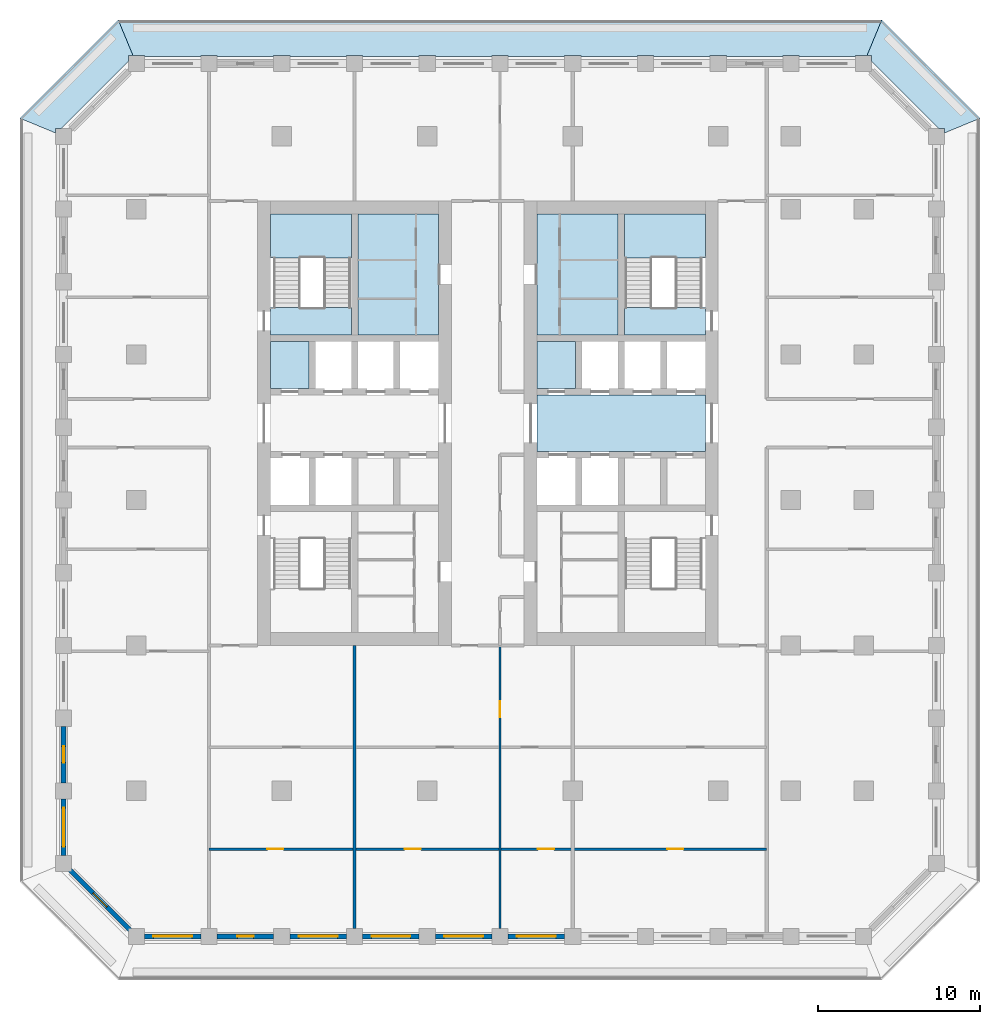
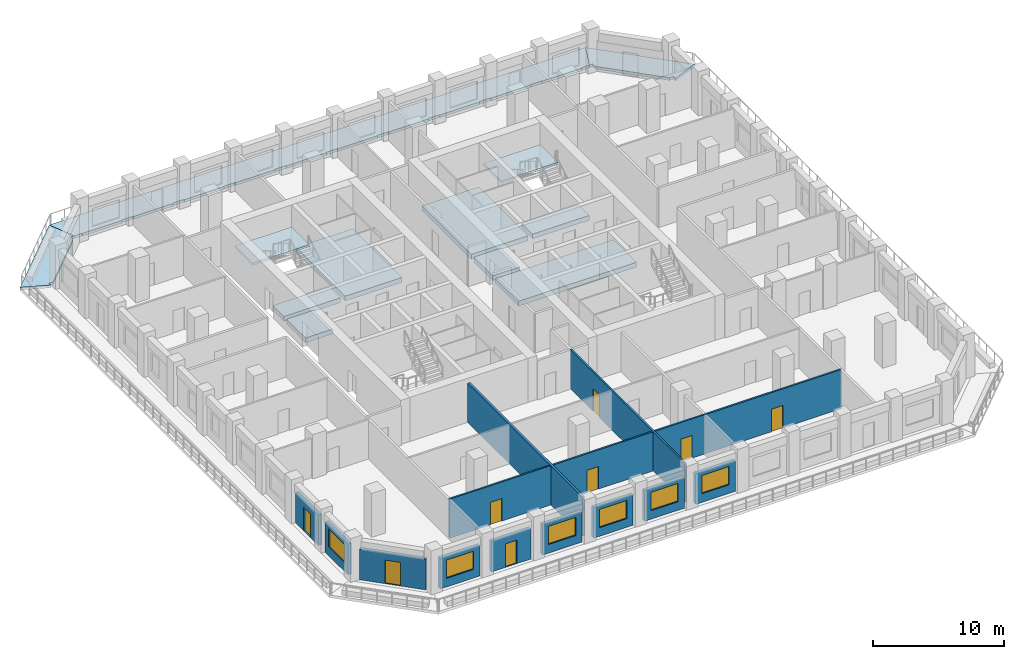
# One storey, part 2 of 16: 12 slabs, 12 walls, 8 doors, 6 windows, 14 openings, 2 elements without a shape of their own.
"""IFC4 building model written with IfcOpenShell, lengths in metres."""

from ifc_helpers import new_model, si_unit, direction, frame, frame_2d, origin, place, context, subcontext, project, spatial, polyline, rectangle, outline, extrude, material, layer, layer_set, type_object, element, fill, aggregate, save


model = new_model("IFC4")

# Units and contexts
model_context = context("Model", 3, precision=1e-05, world=origin(), true_north=direction((0.0, 1.0)))
body_context = subcontext(model_context, "Body", "Model", "MODEL_VIEW")
ifc_project = project(units=[si_unit("LENGTHUNIT", "METRE"), si_unit("AREAUNIT", "SQUARE_METRE"), si_unit("VOLUMEUNIT", "CUBIC_METRE"), si_unit("PLANEANGLEUNIT", "RADIAN"), si_unit("MASSUNIT", "GRAM", prefix="KILO")], contexts=[model_context])

# Site, building, storey
site_placement = place(None, origin())
site = spatial("IfcSite", under=ifc_project, at=site_placement, CompositionType="ELEMENT")
building_placement = place(site_placement, origin())
building = spatial("IfcBuilding", under=site, at=building_placement, Name="Corbel Stack Research Tower", CompositionType="ELEMENT")
storey_placement = place(building_placement, frame((0.0, 0.0, 212.0)))
storey = spatial("IfcBuildingStorey", under=building, at=storey_placement, Name="L48", CompositionType="ELEMENT", Elevation=212.0)

# Slabs
ifc_material_1 = material(Name="Concrete C45/55", Category="concrete")
ifc_layer_1 = layer(ifc_material_1, 0.25)
ifc_layer_set_1 = layer_set([ifc_layer_1], Name="Concrete C45/55")
slab_type_1 = type_object("IfcSlabType", Name="PT balcony slab 250 C45/55", PredefinedType="FLOOR", material=ifc_layer_set_1)
slab_1_placement = place(storey_placement, frame((0.0, 0.0, -0.25)))
element("IfcSlab", 1, at=slab_1_placement, inside=storey, type_object=slab_type_1, Name="Loggia slab L48 NE", PredefinedType="FLOOR", context=body_context, shape_type="SweptSolid", body=[
    extrude(outline(polyline([(27.20703125, 27.5), (27.5, 27.5), (27.5, 27.136474609375), (31.636474609375, 23.0), (32.0, 23.0), (32.0, 22.70703125), (34.199951171875, 23.618408203125), (28.118408203125, 29.699951171875), (27.20703125, 27.5)])), origin(), (0.0, 0.0, 1.0), 0.25),
])
slab_2_placement = place(storey_placement, frame((0.0, 0.0, -0.25)))
element("IfcSlab", 2, at=slab_2_placement, inside=storey, type_object=slab_type_1, Name="Loggia slab L48 N", PredefinedType="FLOOR", context=body_context, shape_type="SweptSolid", body=[
    extrude(outline(polyline([(-18.20703125, 27.5), (-17.5, 27.5), (-17.5, 27.449951171875), (-14.0, 27.449951171875), (-14.0, 27.5), (-13.0, 27.5), (-13.0, 27.449951171875), (-9.5, 27.449951171875), (-9.5, 27.5), (-8.5, 27.5), (-8.5, 27.449951171875), (-5.0, 27.449951171875), (-5.0, 27.5), (-4.0, 27.5), (-4.0, 27.449951171875), (-0.5, 27.449951171875), (-0.5, 27.5), (0.5, 27.5), (0.5, 27.449951171875), (4.0, 27.449951171875), (4.0, 27.5), (5.0, 27.5), (5.0, 27.449951171875), (8.5, 27.449951171875), (8.5, 27.5), (9.5, 27.5), (9.5, 27.449951171875), (13.0, 27.449951171875), (13.0, 27.5), (14.0, 27.5), (14.0, 27.449951171875), (17.5, 27.449951171875), (17.5, 27.5), (18.5, 27.5), (18.5, 27.449951171875), (22.0, 27.449951171875), (22.0, 27.5), (23.0, 27.5), (23.0, 27.449951171875), (26.5, 27.449951171875), (26.5, 27.5), (27.20703125, 27.5), (28.118408203125, 29.699951171875), (-19.118408203125, 29.699951171875), (-18.20703125, 27.5)])), origin(), (0.0, 0.0, 1.0), 0.25),
])
slab_3_placement = place(storey_placement, frame((0.0, 0.0, -0.25)))
element("IfcSlab", 3, at=slab_3_placement, inside=storey, type_object=slab_type_1, Name="Loggia slab L48 NW", PredefinedType="FLOOR", context=body_context, shape_type="SweptSolid", body=[
    extrude(outline(polyline([(-23.0, 22.70703125), (-23.0, 23.0), (-22.636474609375, 23.0), (-18.5, 27.136474609375), (-18.5, 27.5), (-18.20703125, 27.5), (-19.118408203125, 29.699951171875), (-25.199951171875, 23.618408203125), (-23.0, 22.70703125)])), origin(), (0.0, 0.0, 1.0), 0.25),
])
ifc_material_2 = material(Name="Concrete C45/55", Category="concrete")
ifc_layer_2 = layer(ifc_material_2, 0.449951171875)
ifc_layer_set_2 = layer_set([ifc_layer_2], Name="Concrete C45/55")
slab_type_2 = type_object("IfcSlabType", Name="PT-450", PredefinedType="FLOOR", material=ifc_layer_set_2)
slab_4_placement = place(storey_placement, frame((0.0, 0.0, -0.449951171875)))
element("IfcSlab", 4, at=slab_4_placement, inside=storey, type_object=slab_type_2, Name="West core floor L48", PredefinedType="FLOOR", context=body_context, shape_type="SweptSolid", body=[
    extrude(outline(polyline([(-9.699951171875, 6.89990234375), (-7.324951171875, 6.89990234375), (-7.324951171875, 9.800048828125), (-9.699951171875, 9.800048828125), (-9.699951171875, 6.89990234375)])), origin(), (0.0, 0.0, 1.0), 0.449951171875),
])
slab_5_placement = place(storey_placement, frame((0.0, 0.0, -0.449951171875)))
element("IfcSlab", 5, at=slab_5_placement, inside=storey, type_object=slab_type_2, Name="West core floor L48", PredefinedType="FLOOR", context=body_context, shape_type="SweptSolid", body=[
    extrude(outline(polyline([(0.699951171875, 17.699951171875), (-4.300048828125, 17.699951171875), (-4.300048828125, 10.199951171875), (0.699951171875, 10.199951171875), (0.699951171875, 17.699951171875)])), origin(), (0.0, 0.0, 1.0), 0.449951171875),
])
slab_6_placement = place(storey_placement, frame((0.0, 0.0, -0.449951171875)))
element("IfcSlab", 6, at=slab_6_placement, inside=storey, type_object=slab_type_2, Name="East core floor L48", PredefinedType="FLOOR", context=body_context, shape_type="SweptSolid", body=[
    extrude(outline(polyline([(17.199951171875, 6.5), (6.800048828125, 6.5), (6.800048828125, 3.0), (17.199951171875, 3.0), (17.199951171875, 6.5)])), origin(), (0.0, 0.0, 1.0), 0.449951171875),
])
slab_7_placement = place(storey_placement, frame((0.0, 0.0, -0.449951171875)))
element("IfcSlab", 7, at=slab_7_placement, inside=storey, type_object=slab_type_2, Name="East core floor L48", PredefinedType="FLOOR", context=body_context, shape_type="SweptSolid", body=[
    extrude(outline(polyline([(6.800048828125, 6.89990234375), (9.175048828125, 6.89990234375), (9.175048828125, 9.800048828125), (6.800048828125, 9.800048828125), (6.800048828125, 6.89990234375)])), origin(), (0.0, 0.0, 1.0), 0.449951171875),
])
slab_8_placement = place(storey_placement, frame((0.0, 0.0, -0.449951171875)))
element("IfcSlab", 8, at=slab_8_placement, inside=storey, type_object=slab_type_2, Name="East core floor L48", PredefinedType="FLOOR", context=body_context, shape_type="SweptSolid", body=[
    extrude(outline(polyline([(6.800048828125, 17.699951171875), (6.800048828125, 10.199951171875), (11.800048828125, 10.199951171875), (11.800048828125, 17.699951171875), (6.800048828125, 17.699951171875)])), origin(), (0.0, 0.0, 1.0), 0.449951171875),
])
slab_9_placement = place(storey_placement, frame((0.0, 0.0, -0.449951171875)))
element("IfcSlab", 9, at=slab_9_placement, inside=storey, type_object=slab_type_2, Name="Stair floor landing ST-W2", PredefinedType="FLOOR", context=body_context, shape_type="SweptSolid", body=[
    extrude(outline(polyline([(-9.699951171875, 10.199951171875), (-4.699951171875, 10.199951171875), (-4.699951171875, 11.89990234375), (-9.699951171875, 11.89990234375), (-9.699951171875, 10.199951171875)])), origin(), (0.0, 0.0, 1.0), 0.449951171875),
])
slab_10_placement = place(storey_placement, frame((0.0, 0.0, -0.449951171875)))
element("IfcSlab", 10, at=slab_10_placement, inside=storey, type_object=slab_type_2, Name="Stair floor landing ST-E2", PredefinedType="FLOOR", context=body_context, shape_type="SweptSolid", body=[
    extrude(outline(polyline([(12.199951171875, 10.199951171875), (17.199951171875, 10.199951171875), (17.199951171875, 11.89990234375), (12.199951171875, 11.89990234375), (12.199951171875, 10.199951171875)])), origin(), (0.0, 0.0, 1.0), 0.449951171875),
])

# Stair, slab
ifc_material_3 = material(Name="Concrete C40/50", Category="concrete")
stair_type = type_object("IfcStairType", Name="Exit stair 24 risers", PredefinedType="HALF_TURN_STAIR", material=ifc_material_3)
stair_1_placement = place(storey_placement, origin())
stair_1 = element("IfcStair", 11, at=stair_1_placement, inside=storey, type_object=stair_type, Name="L48 Exit stair ST-W2", PredefinedType="HALF_TURN_STAIR")
ifc_material_4 = material(Name="Concrete C40/50", Category="concrete")
ifc_layer_3 = layer(ifc_material_4, 0.199951171875)
ifc_layer_set_3 = layer_set([ifc_layer_3], Name="Concrete C40/50")
slab_type_3 = type_object("IfcSlabType", Name="Stair landing 200 C40/50", PredefinedType="LANDING", material=ifc_layer_set_3)
slab_11_placement = place(storey_placement, frame((0.0, 0.0, 1.85009765625)))
slab_11 = element("IfcSlab", 12, at=slab_11_placement, type_object=slab_type_3, Name="ST-W2 landing 1", PredefinedType="LANDING", context=body_context, shape_type="SweptSolid", body=[
    extrude(outline(polyline([(-9.699951171875, 14.97998046875), (-9.699951171875, 17.699951171875), (-4.699951171875, 17.699951171875), (-4.699951171875, 14.97998046875), (-9.699951171875, 14.97998046875)])), origin(), (0.0, 0.0, 1.0), 0.199951171875),
])
aggregate(stair_1, [slab_11])

stair_2_placement = place(storey_placement, origin())
stair_2 = element("IfcStair", 13, at=stair_2_placement, inside=storey, type_object=stair_type, Name="L48 Exit stair ST-E2", PredefinedType="HALF_TURN_STAIR")
slab_12_placement = place(storey_placement, frame((0.0, 0.0, 1.85009765625)))
slab_12 = element("IfcSlab", 14, at=slab_12_placement, type_object=slab_type_3, Name="ST-E2 landing 1", PredefinedType="LANDING", context=body_context, shape_type="SweptSolid", body=[
    extrude(outline(polyline([(12.199951171875, 14.97998046875), (12.199951171875, 17.699951171875), (17.199951171875, 17.699951171875), (17.199951171875, 14.97998046875), (12.199951171875, 14.97998046875)])), origin(), (0.0, 0.0, 1.0), 0.199951171875),
])
aggregate(stair_2, [slab_12])

# Wall, opening, door
ifc_material_5 = material(Name="Fire-rated gypsum board partition on steel studs", Category="steel")
ifc_layer_4 = layer(ifc_material_5, 0.14990234375)
ifc_layer_set_4 = layer_set([ifc_layer_4], Name="Fire-rated gypsum board partition on steel studs")
wall_type_1 = type_object("IfcWallType", Name="Fire-rated partition 150 EI 60", PredefinedType="PARTITIONING", material=ifc_layer_set_4)
wall_1_placement = place(storey_placement, frame((4.5, -9.0, 0.0), z_axis=(0.0, 0.0, 1.0), x_axis=(0.0, -1.0, 0.0)))
wall_1 = element("IfcWall", 15, at=wall_1_placement, inside=storey, type_object=wall_type_1, Name="Partition L48-005", PredefinedType="PARTITIONING", context=body_context, shape_type="SweptSolid", body=[
    extrude(rectangle(XDim=17.5, YDim=0.14990234375, at=frame_2d((8.75, 0.0))), origin(), (0.0, 0.0, 1.0), 3.64990234375),
])
opening_1_placement = place(wall_1_placement, frame((3.449951171875, 0.0, 0.0)))
opening_1 = element("IfcOpeningElement", 16, at=opening_1_placement, cuts=wall_1, Name="Opening B6V1-018", PredefinedType="OPENING", context=body_context, shape_type="SweptSolid", body=[
    extrude(rectangle(XDim=1.0, YDim=2.10009765625, at=frame_2d((0.5, 1.050048828125))), frame((0.0, 0.0849609375, 0.0), z_axis=(0.0, -1.0, 0.0), x_axis=(1.0, 0.0, 0.0)), (0.0, 0.0, 1.0), 0.169921875),
])
ifc_material_6 = material(Name="Painted steel fire door", Category="steel")
door_type_1 = type_object("IfcDoorType", Name="Fire door FD30S 1000 x 2100", OperationType="NOTDEFINED", PredefinedType="DOOR", material=ifc_material_6)
door_1_placement = place(opening_1_placement, origin())
door_1 = element("IfcDoor", 17, at=door_1_placement, inside=storey, type_object=door_type_1, Name="Door B6V1-018", OperationType="SINGLE_SWING_LEFT", OverallHeight=2.10009765625, OverallWidth=1.0, PredefinedType="DOOR", context=body_context, shape_type="SweptSolid", body=[
    extrude(rectangle(XDim=1.0, YDim=2.10009765625, at=frame_2d((0.5, 1.050048828125))), frame((0.0, 0.02490234375, 0.0), z_axis=(0.0, -1.0, 0.0), x_axis=(1.0, 0.0, 0.0)), (0.0, 0.0, 1.0), 0.050048828125),
])
fill(opening_1, door_1)

# Wall
ifc_material_7 = material(Name="Fire-rated gypsum board partition on steel studs", Category="steel")
ifc_layer_5 = layer(ifc_material_7, 0.199951171875)
ifc_layer_set_5 = layer_set([ifc_layer_5], Name="Fire-rated gypsum board partition on steel studs")
wall_type_2 = type_object("IfcWallType", Name="Fire-rated partition 200 EI 60", PredefinedType="PARTITIONING", material=ifc_layer_set_5)
wall_2_placement = place(storey_placement, frame((-4.5, -26.5, 0.0), z_axis=(0.0, 0.0, 1.0), x_axis=(0.0, 1.0, 0.0)))
element("IfcWall", 18, at=wall_2_placement, inside=storey, type_object=wall_type_2, Name="Partition L48-003", PredefinedType="PARTITIONING", context=body_context, shape_type="SweptSolid", body=[
    extrude(rectangle(XDim=17.5, YDim=0.199951171875, at=frame_2d((8.75, 0.0))), origin(), (0.0, 0.0, 1.0), 3.64990234375),
])

# Wall, openings, doors
ifc_material_8 = material(Name="Gypsum board partition on steel studs", Category="steel")
ifc_layer_6 = layer(ifc_material_8, 0.14990234375)
ifc_layer_set_6 = layer_set([ifc_layer_6], Name="Gypsum board partition on steel studs")
wall_type_3 = type_object("IfcWallType", Name="Partition 150", PredefinedType="PARTITIONING", material=ifc_layer_set_6)
wall_3_placement = place(storey_placement, frame((21.0, -21.60009765625, 0.0), z_axis=(0.0, 0.0, 1.0), x_axis=(-1.0, 0.0, 0.0)))
wall_3 = element("IfcWall", 19, at=wall_3_placement, inside=storey, type_object=wall_type_3, Name="Partition L48-016", PredefinedType="PARTITIONING", context=body_context, shape_type="SweptSolid", body=[
    extrude(rectangle(XDim=34.5, YDim=0.14990234375, at=frame_2d((17.25, 0.0))), origin(), (0.0, 0.0, 1.0), 3.64990234375),
])
opening_2_placement = place(wall_3_placement, frame((29.89990234375, 0.0, 0.0)))
opening_2 = element("IfcOpeningElement", 20, at=opening_2_placement, cuts=wall_3, Name="Opening B6V1-001", PredefinedType="OPENING", context=body_context, shape_type="SweptSolid", body=[
    extrude(rectangle(XDim=1.0, YDim=2.10009765625, at=frame_2d((0.5, 1.050048828125))), frame((0.0, 0.0849609375, 0.0), z_axis=(0.0, -1.0, 0.0), x_axis=(1.0, 0.0, 0.0)), (0.0, 0.0, 1.0), 0.169921875),
])
opening_3_placement = place(wall_3_placement, frame((21.39990234375, 0.0, 0.0)))
opening_3 = element("IfcOpeningElement", 21, at=opening_3_placement, cuts=wall_3, Name="Opening B6V1-002", PredefinedType="OPENING", context=body_context, shape_type="SweptSolid", body=[
    extrude(rectangle(XDim=1.0, YDim=2.10009765625, at=frame_2d((0.5, 1.050048828125))), frame((0.0, 0.0849609375, 0.0), z_axis=(0.0, -1.0, 0.0), x_axis=(1.0, 0.0, 0.0)), (0.0, 0.0, 1.0), 0.169921875),
])
opening_4_placement = place(wall_3_placement, frame((13.14990234375, 0.0, 0.0)))
opening_4 = element("IfcOpeningElement", 22, at=opening_4_placement, cuts=wall_3, Name="Opening B6V1-003", PredefinedType="OPENING", context=body_context, shape_type="SweptSolid", body=[
    extrude(rectangle(XDim=1.0, YDim=2.10009765625, at=frame_2d((0.5, 1.050048828125))), frame((0.0, 0.0849609375, 0.0), z_axis=(0.0, -1.0, 0.0), x_axis=(1.0, 0.0, 0.0)), (0.0, 0.0, 1.0), 0.169921875),
])
opening_5_placement = place(wall_3_placement, frame((5.14990234375, 0.0, 0.0)))
opening_5 = element("IfcOpeningElement", 23, at=opening_5_placement, cuts=wall_3, Name="Opening B6V1-004", PredefinedType="OPENING", context=body_context, shape_type="SweptSolid", body=[
    extrude(rectangle(XDim=1.0, YDim=2.10009765625, at=frame_2d((0.5, 1.050048828125))), frame((0.0, 0.0849609375, 0.0), z_axis=(0.0, -1.0, 0.0), x_axis=(1.0, 0.0, 0.0)), (0.0, 0.0, 1.0), 0.169921875),
])
ifc_material_9 = material(Name="Painted timber door", Category="wood")
door_type_2 = type_object("IfcDoorType", Name="Single door 1000 x 2100", OperationType="NOTDEFINED", PredefinedType="DOOR", material=ifc_material_9)
door_2_placement = place(opening_2_placement, origin())
door_2 = element("IfcDoor", 24, at=door_2_placement, inside=storey, type_object=door_type_2, Name="Door B6V1-001", OperationType="SINGLE_SWING_RIGHT", OverallHeight=2.10009765625, OverallWidth=1.0, PredefinedType="DOOR", context=body_context, shape_type="SweptSolid", body=[
    extrude(rectangle(XDim=1.0, YDim=2.10009765625, at=frame_2d((0.5, 1.050048828125))), frame((0.0, 0.02490234375, 0.0), z_axis=(0.0, -1.0, 0.0), x_axis=(1.0, 0.0, 0.0)), (0.0, 0.0, 1.0), 0.050048828125),
])
fill(opening_2, door_2)
door_3_placement = place(opening_3_placement, origin())
door_3 = element("IfcDoor", 25, at=door_3_placement, inside=storey, type_object=door_type_2, Name="Door B6V1-002", OperationType="SINGLE_SWING_RIGHT", OverallHeight=2.10009765625, OverallWidth=1.0, PredefinedType="DOOR", context=body_context, shape_type="SweptSolid", body=[
    extrude(rectangle(XDim=1.0, YDim=2.10009765625, at=frame_2d((0.5, 1.050048828125))), frame((0.0, 0.02490234375, 0.0), z_axis=(0.0, -1.0, 0.0), x_axis=(1.0, 0.0, 0.0)), (0.0, 0.0, 1.0), 0.050048828125),
])
fill(opening_3, door_3)
door_4_placement = place(opening_4_placement, origin())
door_4 = element("IfcDoor", 26, at=door_4_placement, inside=storey, type_object=door_type_2, Name="Door B6V1-003", OperationType="SINGLE_SWING_LEFT", OverallHeight=2.10009765625, OverallWidth=1.0, PredefinedType="DOOR", context=body_context, shape_type="SweptSolid", body=[
    extrude(rectangle(XDim=1.0, YDim=2.10009765625, at=frame_2d((0.5, 1.050048828125))), frame((0.0, 0.02490234375, 0.0), z_axis=(0.0, -1.0, 0.0), x_axis=(1.0, 0.0, 0.0)), (0.0, 0.0, 1.0), 0.050048828125),
])
fill(opening_4, door_4)
door_5_placement = place(opening_5_placement, origin())
door_5 = element("IfcDoor", 27, at=door_5_placement, inside=storey, type_object=door_type_2, Name="Door B6V1-004", OperationType="SINGLE_SWING_LEFT", OverallHeight=2.10009765625, OverallWidth=1.0, PredefinedType="DOOR", context=body_context, shape_type="SweptSolid", body=[
    extrude(rectangle(XDim=1.0, YDim=2.10009765625, at=frame_2d((0.5, 1.050048828125))), frame((0.0, 0.02490234375, 0.0), z_axis=(0.0, -1.0, 0.0), x_axis=(1.0, 0.0, 0.0)), (0.0, 0.0, 1.0), 0.050048828125),
])
fill(opening_5, door_5)

# Wall, opening, window
ifc_material_10 = material(Name="Concrete C45/55", Category="concrete")
ifc_layer_7 = layer(ifc_material_10, 0.300048828125)
ifc_layer_set_7 = layer_set([ifc_layer_7], Name="Concrete C45/55")
wall_type_4 = type_object("IfcWallType", Name="Terracotta-faced concrete wall 300", PredefinedType="SOLIDWALL", material=ifc_layer_set_7)
wall_4_placement = place(storey_placement, frame((-14.0, -27.0, 0.0), z_axis=(0.0, 0.0, 1.0), x_axis=(-1.0, 0.0, 0.0)))
wall_4 = element("IfcWall", 28, at=wall_4_placement, inside=storey, type_object=wall_type_4, Name="Facade wall L48 S01", PredefinedType="SOLIDWALL", context=body_context, shape_type="SweptSolid", body=[
    extrude(rectangle(XDim=3.5, YDim=0.300048828125, at=frame_2d((1.75, 0.0))), origin(), (0.0, 0.0, 1.0), 2.85009765625),
])
opening_6_placement = place(wall_4_placement, frame((0.550048828125, 0.0, 0.800048828125)))
opening_6 = element("IfcOpeningElement", 29, at=opening_6_placement, cuts=wall_4, Name="Opening W1", PredefinedType="OPENING", context=body_context, shape_type="SweptSolid", body=[
    extrude(rectangle(XDim=2.39990234375, YDim=1.699951171875, at=frame_2d((1.199951171875, 0.85009765625))), frame((0.0, 0.159912109375, 0.0), z_axis=(0.0, -1.0, 0.0), x_axis=(1.0, 0.0, 0.0)), (0.0, 0.0, 1.0), 0.320068359375),
])
ifc_material_11 = material(Name="Aluminium frame, clear double glazing", Category="aluminium")
window_type = type_object("IfcWindowType", Name="Window W1 2400 x 1700", PartitioningType="SINGLE_PANEL", PredefinedType="WINDOW", material=ifc_material_11)
window_1_placement = place(opening_6_placement, origin())
window_1 = element("IfcWindow", 30, at=window_1_placement, inside=storey, type_object=window_type, Name="Window W1 L48 S01", OverallHeight=1.699951171875, OverallWidth=2.39990234375, PartitioningType="SINGLE_PANEL", PredefinedType="WINDOW", context=body_context, shape_type="SweptSolid", body=[
    extrude(rectangle(XDim=2.39990234375, YDim=1.699951171875, at=frame_2d((1.199951171875, 0.85009765625))), frame((0.0, 0.030029296875, 0.0), z_axis=(0.0, -1.0, 0.0), x_axis=(1.0, 0.0, 0.0)), (0.0, 0.0, 1.0), 0.06005859375),
])
fill(opening_6, window_1)

# Wall, opening, door
wall_5_placement = place(storey_placement, frame((-9.5, -27.0, 0.0), z_axis=(0.0, 0.0, 1.0), x_axis=(-1.0, 0.0, 0.0)))
wall_5 = element("IfcWall", 31, at=wall_5_placement, inside=storey, type_object=wall_type_4, Name="Facade wall L48 S02", PredefinedType="SOLIDWALL", context=body_context, shape_type="SweptSolid", body=[
    extrude(rectangle(XDim=3.5, YDim=0.300048828125, at=frame_2d((1.75, 0.0))), origin(), (0.0, 0.0, 1.0), 2.85009765625),
])
opening_7_placement = place(wall_5_placement, frame((1.25, 0.0, 0.0)))
opening_7 = element("IfcOpeningElement", 32, at=opening_7_placement, cuts=wall_5, Name="Opening L48-B01", PredefinedType="OPENING", context=body_context, shape_type="SweptSolid", body=[
    extrude(rectangle(XDim=1.0, YDim=2.199951171875, at=frame_2d((0.5, 1.10009765625))), frame((0.0, 0.159912109375, 0.0), z_axis=(0.0, -1.0, 0.0), x_axis=(1.0, 0.0, 0.0)), (0.0, 0.0, 1.0), 0.320068359375),
])
ifc_material_12 = material(Name="Aluminium frame, clear double glazing", Category="aluminium")
door_type_3 = type_object("IfcDoorType", Name="Balcony door BD1 1000 x 2200", OperationType="NOTDEFINED", PredefinedType="DOOR", material=ifc_material_12)
door_6_placement = place(opening_7_placement, origin())
door_6 = element("IfcDoor", 33, at=door_6_placement, inside=storey, type_object=door_type_3, Name="Balcony door L48-B01", OperationType="SINGLE_SWING_RIGHT", OverallHeight=2.199951171875, OverallWidth=1.0, PredefinedType="DOOR", context=body_context, shape_type="SweptSolid", body=[
    extrude(rectangle(XDim=1.0, YDim=2.199951171875, at=frame_2d((0.5, 1.10009765625))), frame((0.0, 0.02490234375, 0.0), z_axis=(0.0, -1.0, 0.0), x_axis=(1.0, 0.0, 0.0)), (0.0, 0.0, 1.0), 0.050048828125),
])
fill(opening_7, door_6)

# Wall, opening, window
wall_6_placement = place(storey_placement, frame((-5.0, -27.0, 0.0), z_axis=(0.0, 0.0, 1.0), x_axis=(-1.0, 0.0, 0.0)))
wall_6 = element("IfcWall", 34, at=wall_6_placement, inside=storey, type_object=wall_type_4, Name="Facade wall L48 S03", PredefinedType="SOLIDWALL", context=body_context, shape_type="SweptSolid", body=[
    extrude(rectangle(XDim=3.5, YDim=0.300048828125, at=frame_2d((1.75, 0.0))), origin(), (0.0, 0.0, 1.0), 2.85009765625),
])
opening_8_placement = place(wall_6_placement, frame((0.550048828125, 0.0, 0.800048828125)))
opening_8 = element("IfcOpeningElement", 35, at=opening_8_placement, cuts=wall_6, Name="Opening W1", PredefinedType="OPENING", context=body_context, shape_type="SweptSolid", body=[
    extrude(rectangle(XDim=2.39990234375, YDim=1.699951171875, at=frame_2d((1.199951171875, 0.85009765625))), frame((0.0, 0.159912109375, 0.0), z_axis=(0.0, -1.0, 0.0), x_axis=(1.0, 0.0, 0.0)), (0.0, 0.0, 1.0), 0.320068359375),
])
window_2_placement = place(opening_8_placement, origin())
window_2 = element("IfcWindow", 36, at=window_2_placement, inside=storey, type_object=window_type, Name="Window W1 L48 S03", OverallHeight=1.699951171875, OverallWidth=2.39990234375, PartitioningType="SINGLE_PANEL", PredefinedType="WINDOW", context=body_context, shape_type="SweptSolid", body=[
    extrude(rectangle(XDim=2.39990234375, YDim=1.699951171875, at=frame_2d((1.199951171875, 0.85009765625))), frame((0.0, 0.030029296875, 0.0), z_axis=(0.0, -1.0, 0.0), x_axis=(1.0, 0.0, 0.0)), (0.0, 0.0, 1.0), 0.06005859375),
])
fill(opening_8, window_2)

wall_7_placement = place(storey_placement, frame((-0.5, -27.0, 0.0), z_axis=(0.0, 0.0, 1.0), x_axis=(-1.0, 0.0, 0.0)))
wall_7 = element("IfcWall", 37, at=wall_7_placement, inside=storey, type_object=wall_type_4, Name="Facade wall L48 S04", PredefinedType="SOLIDWALL", context=body_context, shape_type="SweptSolid", body=[
    extrude(rectangle(XDim=3.5, YDim=0.300048828125, at=frame_2d((1.75, 0.0))), origin(), (0.0, 0.0, 1.0), 2.85009765625),
])
opening_9_placement = place(wall_7_placement, frame((0.550048828125, 0.0, 0.800048828125)))
opening_9 = element("IfcOpeningElement", 38, at=opening_9_placement, cuts=wall_7, Name="Opening W1", PredefinedType="OPENING", context=body_context, shape_type="SweptSolid", body=[
    extrude(rectangle(XDim=2.39990234375, YDim=1.699951171875, at=frame_2d((1.199951171875, 0.85009765625))), frame((0.0, 0.159912109375, 0.0), z_axis=(0.0, -1.0, 0.0), x_axis=(1.0, 0.0, 0.0)), (0.0, 0.0, 1.0), 0.320068359375),
])
window_3_placement = place(opening_9_placement, origin())
window_3 = element("IfcWindow", 39, at=window_3_placement, inside=storey, type_object=window_type, Name="Window W1 L48 S04", OverallHeight=1.699951171875, OverallWidth=2.39990234375, PartitioningType="SINGLE_PANEL", PredefinedType="WINDOW", context=body_context, shape_type="SweptSolid", body=[
    extrude(rectangle(XDim=2.39990234375, YDim=1.699951171875, at=frame_2d((1.199951171875, 0.85009765625))), frame((0.0, 0.030029296875, 0.0), z_axis=(0.0, -1.0, 0.0), x_axis=(1.0, 0.0, 0.0)), (0.0, 0.0, 1.0), 0.06005859375),
])
fill(opening_9, window_3)

wall_8_placement = place(storey_placement, frame((4.0, -27.0, 0.0), z_axis=(0.0, 0.0, 1.0), x_axis=(-1.0, 0.0, 0.0)))
wall_8 = element("IfcWall", 40, at=wall_8_placement, inside=storey, type_object=wall_type_4, Name="Facade wall L48 S05", PredefinedType="SOLIDWALL", context=body_context, shape_type="SweptSolid", body=[
    extrude(rectangle(XDim=3.5, YDim=0.300048828125, at=frame_2d((1.75, 0.0))), origin(), (0.0, 0.0, 1.0), 2.85009765625),
])
opening_10_placement = place(wall_8_placement, frame((0.550048828125, 0.0, 0.800048828125)))
opening_10 = element("IfcOpeningElement", 41, at=opening_10_placement, cuts=wall_8, Name="Opening W1", PredefinedType="OPENING", context=body_context, shape_type="SweptSolid", body=[
    extrude(rectangle(XDim=2.39990234375, YDim=1.699951171875, at=frame_2d((1.199951171875, 0.85009765625))), frame((0.0, 0.159912109375, 0.0), z_axis=(0.0, -1.0, 0.0), x_axis=(1.0, 0.0, 0.0)), (0.0, 0.0, 1.0), 0.320068359375),
])
window_4_placement = place(opening_10_placement, origin())
window_4 = element("IfcWindow", 42, at=window_4_placement, inside=storey, type_object=window_type, Name="Window W1 L48 S05", OverallHeight=1.699951171875, OverallWidth=2.39990234375, PartitioningType="SINGLE_PANEL", PredefinedType="WINDOW", context=body_context, shape_type="SweptSolid", body=[
    extrude(rectangle(XDim=2.39990234375, YDim=1.699951171875, at=frame_2d((1.199951171875, 0.85009765625))), frame((0.0, 0.030029296875, 0.0), z_axis=(0.0, -1.0, 0.0), x_axis=(1.0, 0.0, 0.0)), (0.0, 0.0, 1.0), 0.06005859375),
])
fill(opening_10, window_4)

wall_9_placement = place(storey_placement, frame((8.5, -27.0, 0.0), z_axis=(0.0, 0.0, 1.0), x_axis=(-1.0, 0.0, 0.0)))
wall_9 = element("IfcWall", 43, at=wall_9_placement, inside=storey, type_object=wall_type_4, Name="Facade wall L48 S06", PredefinedType="SOLIDWALL", context=body_context, shape_type="SweptSolid", body=[
    extrude(rectangle(XDim=3.5, YDim=0.300048828125, at=frame_2d((1.75, 0.0))), origin(), (0.0, 0.0, 1.0), 2.85009765625),
])
opening_11_placement = place(wall_9_placement, frame((0.550048828125, 0.0, 0.800048828125)))
opening_11 = element("IfcOpeningElement", 44, at=opening_11_placement, cuts=wall_9, Name="Opening W1", PredefinedType="OPENING", context=body_context, shape_type="SweptSolid", body=[
    extrude(rectangle(XDim=2.39990234375, YDim=1.699951171875, at=frame_2d((1.199951171875, 0.85009765625))), frame((0.0, 0.159912109375, 0.0), z_axis=(0.0, -1.0, 0.0), x_axis=(1.0, 0.0, 0.0)), (0.0, 0.0, 1.0), 0.320068359375),
])
window_5_placement = place(opening_11_placement, origin())
window_5 = element("IfcWindow", 45, at=window_5_placement, inside=storey, type_object=window_type, Name="Window W1 L48 S06", OverallHeight=1.699951171875, OverallWidth=2.39990234375, PartitioningType="SINGLE_PANEL", PredefinedType="WINDOW", context=body_context, shape_type="SweptSolid", body=[
    extrude(rectangle(XDim=2.39990234375, YDim=1.699951171875, at=frame_2d((1.199951171875, 0.85009765625))), frame((0.0, 0.030029296875, 0.0), z_axis=(0.0, -1.0, 0.0), x_axis=(1.0, 0.0, 0.0)), (0.0, 0.0, 1.0), 0.06005859375),
])
fill(opening_11, window_5)

# Wall, opening, door
wall_10_placement = place(storey_placement, frame((-22.5, -17.5, 0.0), z_axis=(0.0, 0.0, 1.0), x_axis=(0.0, 1.0, 0.0)))
wall_10 = element("IfcWall", 46, at=wall_10_placement, inside=storey, type_object=wall_type_4, Name="Facade wall L48 W09", PredefinedType="SOLIDWALL", context=body_context, shape_type="SweptSolid", body=[
    extrude(rectangle(XDim=3.5, YDim=0.300048828125, at=frame_2d((1.75, 0.0))), origin(), (0.0, 0.0, 1.0), 2.85009765625),
])
opening_12_placement = place(wall_10_placement, frame((1.25, 0.0, 0.0)))
opening_12 = element("IfcOpeningElement", 47, at=opening_12_placement, cuts=wall_10, Name="Opening L48-B11", PredefinedType="OPENING", context=body_context, shape_type="SweptSolid", body=[
    extrude(rectangle(XDim=1.0, YDim=2.199951171875, at=frame_2d((0.5, 1.10009765625))), frame((0.0, 0.159912109375, 0.0), z_axis=(0.0, -1.0, 0.0), x_axis=(1.0, 0.0, 0.0)), (0.0, 0.0, 1.0), 0.320068359375),
])
door_7_placement = place(opening_12_placement, origin())
door_7 = element("IfcDoor", 48, at=door_7_placement, inside=storey, type_object=door_type_3, Name="Balcony door L48-B11", OperationType="SINGLE_SWING_LEFT", OverallHeight=2.199951171875, OverallWidth=1.0, PredefinedType="DOOR", context=body_context, shape_type="SweptSolid", body=[
    extrude(rectangle(XDim=1.0, YDim=2.199951171875, at=frame_2d((0.5, 1.10009765625))), frame((0.0, 0.02490234375, 0.0), z_axis=(0.0, -1.0, 0.0), x_axis=(1.0, 0.0, 0.0)), (0.0, 0.0, 1.0), 0.050048828125),
])
fill(opening_12, door_7)

# Wall, opening, window
wall_11_placement = place(storey_placement, frame((-22.5, -22.0, 0.0), z_axis=(0.0, 0.0, 1.0), x_axis=(0.0, 1.0, 0.0)))
wall_11 = element("IfcWall", 49, at=wall_11_placement, inside=storey, type_object=wall_type_4, Name="Facade wall L48 W10", PredefinedType="SOLIDWALL", context=body_context, shape_type="SweptSolid", body=[
    extrude(rectangle(XDim=3.5, YDim=0.300048828125, at=frame_2d((1.75, 0.0))), origin(), (0.0, 0.0, 1.0), 2.85009765625),
])
opening_13_placement = place(wall_11_placement, frame((0.550048828125, 0.0, 0.800048828125)))
opening_13 = element("IfcOpeningElement", 50, at=opening_13_placement, cuts=wall_11, Name="Opening W1", PredefinedType="OPENING", context=body_context, shape_type="SweptSolid", body=[
    extrude(rectangle(XDim=2.39990234375, YDim=1.699951171875, at=frame_2d((1.199951171875, 0.85009765625))), frame((0.0, 0.159912109375, 0.0), z_axis=(0.0, -1.0, 0.0), x_axis=(1.0, 0.0, 0.0)), (0.0, 0.0, 1.0), 0.320068359375),
])
window_6_placement = place(opening_13_placement, origin())
window_6 = element("IfcWindow", 51, at=window_6_placement, inside=storey, type_object=window_type, Name="Window W1 L48 W10", OverallHeight=1.699951171875, OverallWidth=2.39990234375, PartitioningType="SINGLE_PANEL", PredefinedType="WINDOW", context=body_context, shape_type="SweptSolid", body=[
    extrude(rectangle(XDim=2.39990234375, YDim=1.699951171875, at=frame_2d((1.199951171875, 0.85009765625))), frame((0.0, 0.030029296875, 0.0), z_axis=(0.0, -1.0, 0.0), x_axis=(1.0, 0.0, 0.0)), (0.0, 0.0, 1.0), 0.06005859375),
])
fill(opening_13, window_6)

# Wall, opening, door
wall_12_placement = place(storey_placement, frame((-18.393798828125, -26.606201171875, 0.0), z_axis=(0.0, 0.0, 1.0), x_axis=(-0.707106781187, 0.707106781187, 0.0)))
wall_12 = element("IfcWall", 52, at=wall_12_placement, inside=storey, type_object=wall_type_4, Name="Facade wall L48 SW01", PredefinedType="SOLIDWALL", context=body_context, shape_type="SweptSolid", body=[
    extrude(rectangle(XDim=5.250244140625, YDim=0.300048828125, at=frame_2d((2.625, 0.0))), origin(), (0.0, 0.0, 1.0), 2.85009765625),
])
opening_14_placement = place(wall_12_placement, frame((2.02490234375, 0.0, 0.0)))
opening_14 = element("IfcOpeningElement", 53, at=opening_14_placement, cuts=wall_12, Name="Opening L48-B12", PredefinedType="OPENING", context=body_context, shape_type="SweptSolid", body=[
    extrude(rectangle(XDim=1.199951171875, YDim=2.199951171875, at=frame_2d((0.60009765625, 1.10009765625))), frame((0.0, 0.159912109375, 0.0), z_axis=(0.0, -1.0, 0.0), x_axis=(1.0, 0.0, 0.0)), (0.0, 0.0, 1.0), 0.320068359375),
])
ifc_material_13 = material(Name="Aluminium frame, clear double glazing", Category="aluminium")
door_type_4 = type_object("IfcDoorType", Name="Balcony door BD2 1200 x 2200", OperationType="NOTDEFINED", PredefinedType="DOOR", material=ifc_material_13)
door_8_placement = place(opening_14_placement, origin())
door_8 = element("IfcDoor", 54, at=door_8_placement, inside=storey, type_object=door_type_4, Name="Balcony door L48-B12", OperationType="SINGLE_SWING_LEFT", OverallHeight=2.199951171875, OverallWidth=1.199951171875, PredefinedType="DOOR", context=body_context, shape_type="SweptSolid", body=[
    extrude(rectangle(XDim=1.199951171875, YDim=2.199951171875, at=frame_2d((0.60009765625, 1.10009765625))), frame((0.0, 0.02490234375, 0.0), z_axis=(0.0, -1.0, 0.0), x_axis=(1.0, 0.0, 0.0)), (0.0, 0.0, 1.0), 0.050048828125),
])
fill(opening_14, door_8)

save(model, "model.ifc")
